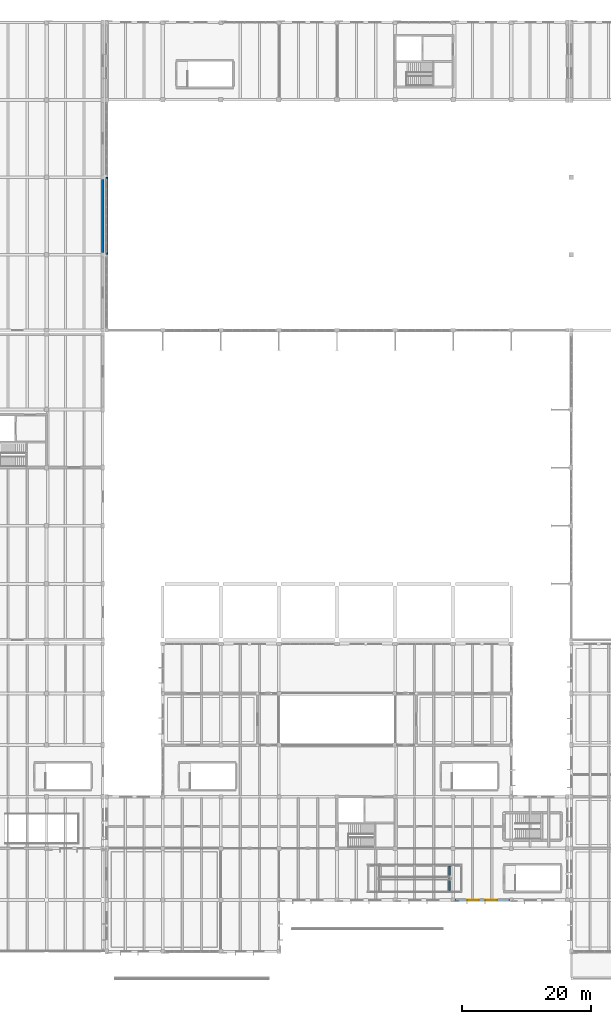
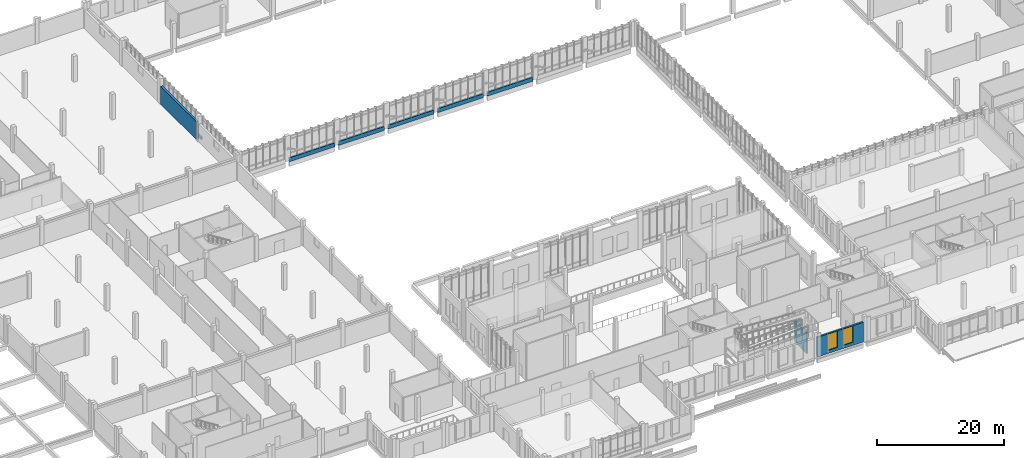
# One storey, part 82 of 110: 9 walls, 2 windows, 2 openings.
"""IFC4 building model written with IfcOpenShell, lengths in metres."""

import ifcopenshell
import ifcopenshell.guid

model = None  # the IFC model being written
_history = None  # IfcOwnerHistory: only IFC2X3 demands one
_inside = {}  # id of a spatial element -> (the spatial element, [elements in it])
_under = {}  # id of a project, library or spatial element -> (it, [spatial elements below it])
_declared = {}  # id of a project -> (the project, [libraries it declares])
_typed = {}  # id of a type object -> (the type object, [elements of that type])
_made_of = {}  # id of a material, layer set ... -> (it, [elements and type objects made of it])


def new_model(schema):
    """Start an empty IFC model of exactly this schema.

    Asked for "IFC4X3", IfcOpenShell would pick the latest addendum, in which some entities
    have other attributes; the version numbers below select the first issue.
    IFC2X3 requires an IfcOwnerHistory on every rooted entity: one is made here for all.
    """
    global model, _history
    if schema == "IFC4X3":
        model = ifcopenshell.file(schema_version=(4, 3, 0, 0))
    else:
        model = ifcopenshell.file(schema=schema)
    _inside.clear()
    _under.clear()
    _declared.clear()
    _typed.clear()
    _made_of.clear()
    _history = None
    if model.schema == "IFC2X3":
        org = make("IfcOrganization", Name="unknown")
        user = make(
            "IfcPersonAndOrganization",
            ThePerson=make("IfcPerson", FamilyName="unknown"),
            TheOrganization=org,
        )
        app = make(
            "IfcApplication",
            ApplicationDeveloper=org,
            Version="unknown",
            ApplicationFullName="unknown",
            ApplicationIdentifier="unknown",
        )
        _history = make(
            "IfcOwnerHistory",
            OwningUser=user,
            OwningApplication=app,
            ChangeAction="ADDED",
            CreationDate=0,
        )
    return model


def make(cls, **values):
    """One entity of the class cls with the attributes given. An attribute that is None is left unset."""
    return model.create_entity(
        cls, **{name: value for name, value in values.items() if value is not None}
    )


def rooted(cls, **values):
    """An entity with a GlobalId (a new one), such as an element, a storey or a relation."""
    return make(cls, GlobalId=ifcopenshell.guid.new(), OwnerHistory=_history, **values)


def si_unit(unit_type, name, prefix=None):
    """IfcSIUnit, for example si_unit("LENGTHUNIT", "METRE", prefix="MILLI")."""
    return make("IfcSIUnit", UnitType=unit_type, Prefix=prefix, Name=name)


def assignment(units):
    """IfcUnitAssignment: the units of a project."""
    return None if units is None else make("IfcUnitAssignment", Units=units)


def point(xyz):
    """IfcCartesianPoint."""
    return None if xyz is None else make("IfcCartesianPoint", Coordinates=xyz)


def direction(xyz):
    """IfcDirection."""
    return None if xyz is None else make("IfcDirection", DirectionRatios=xyz)


def frame(location, z_axis=None, x_axis=None):
    """IfcAxis2Placement3D, a coordinate frame: its origin and axes. An axis left out is left unset."""
    return make(
        "IfcAxis2Placement3D",
        Location=point(location),
        Axis=direction(z_axis),
        RefDirection=direction(x_axis),
    )


def frame_2d(location, x_axis=None):
    """IfcAxis2Placement2D, a coordinate frame in the plane: its origin and x axis."""
    return make(
        "IfcAxis2Placement2D", Location=point(location), RefDirection=direction(x_axis)
    )


def origin():
    """The frame at (0, 0, 0) with its axes left unset."""
    return frame((0.0, 0.0, 0.0))


def place(relative_to, where):
    """IfcLocalPlacement: puts the frame where relative to a parent placement (None: the world)."""
    return make(
        "IfcLocalPlacement", PlacementRelTo=relative_to, RelativePlacement=where
    )


def context(
    kind, dimensions, precision=None, world=None, true_north=None, identifier=None
):
    """IfcGeometricRepresentationContext, for example the 3D "Model" context."""
    return make(
        "IfcGeometricRepresentationContext",
        ContextIdentifier=identifier,
        ContextType=kind,
        CoordinateSpaceDimension=dimensions,
        Precision=precision,
        WorldCoordinateSystem=world,
        TrueNorth=true_north,
    )


def subcontext(parent, identifier, kind, view, scale=None):
    """IfcGeometricRepresentationSubContext, for example "Body" below "Model"."""
    return make(
        "IfcGeometricRepresentationSubContext",
        ContextIdentifier=identifier,
        ContextType=kind,
        ParentContext=parent,
        TargetScale=scale,
        TargetView=view,
    )


def project(units=None, contexts=None):
    """IfcProject with its units and contexts."""
    return rooted(
        "IfcProject",
        Name="project",
        RepresentationContexts=contexts,
        UnitsInContext=assignment(units),
    )


def spatial(cls, under=None, at=None, **own):
    """A site, building, storey or space (cls), placed at a placement, below another one or the project."""
    s = rooted(cls, ObjectPlacement=at, **own)
    if under is not None:
        _under.setdefault(under.id(), (under, []))[1].append(s)
    return s


def profile(cls, at=None, kind="AREA", **sizes):
    """A parametric profile (cls). Its sizes go by their IFC names, for example OverallWidth=200.0."""
    return make(cls, ProfileType=kind, Position=at, **sizes)


def rectangle(**sizes):
    """IfcRectangleProfileDef."""
    return profile("IfcRectangleProfileDef", **sizes)


def extrude(swept, where, along, depth):
    """IfcExtrudedAreaSolid: the profile swept, set in the frame where, extruded along a direction by depth."""
    return make(
        "IfcExtrudedAreaSolid",
        SweptArea=swept,
        Position=where,
        ExtrudedDirection=direction(along),
        Depth=depth,
    )


def shape(context_of_items, identifier, shape_type, items):
    """IfcShapeRepresentation: the items that make up one representation, for example the "Body"."""
    return make(
        "IfcShapeRepresentation",
        ContextOfItems=context_of_items,
        RepresentationIdentifier=identifier,
        RepresentationType=shape_type,
        Items=items,
    )


def material(Name=None, Category=None):
    """IfcMaterial."""
    return make("IfcMaterial", Name=Name, Category=Category)


def layer(
    of_material, thickness, ventilated=None, Name=None, Category=None, Priority=None
):
    """IfcMaterialLayer: one layer of a wall or slab, of a material (None: an air gap)."""
    return make(
        "IfcMaterialLayer",
        Material=of_material,
        LayerThickness=thickness,
        IsVentilated=ventilated,
        Name=Name,
        Category=Category,
        Priority=Priority,
    )


def layer_set(layers, Name=None):
    """IfcMaterialLayerSet."""
    return make("IfcMaterialLayerSet", MaterialLayers=layers, LayerSetName=Name)


def made_of(thing, what):
    """Note that an element or type object is made of a material, layer set ...; save() writes the relation."""
    if what is not None:
        _made_of.setdefault(what.id(), (what, []))[1].append(thing)
    return thing


def type_object(cls, material=None, **own):
    """A type object (cls), such as IfcWallType, which elements share."""
    return made_of(rooted(cls, **own), material)


def element(
    cls,
    number,
    at=None,
    inside=None,
    cuts=None,
    type_object=None,
    material=None,
    context=None,
    identifier="Body",
    shape_type=None,
    held_by="IfcProductDefinitionShape",
    body=None,
    shapes=None,
    **own,
):
    """One element of the class cls, such as IfcWall. Its Tag is "e" and its number.

    at: its placement. inside: the storey or other place that contains it. cuts: it is an
    opening in that element (IfcRelVoidsElement). A single representation is given by context,
    identifier, shape_type and body (its items); several are given by shapes. held_by: the class
    of the entity that holds the representations. save() writes the other relations.
    """
    e = rooted(cls, Tag="e%d" % number, ObjectPlacement=at, **own)
    if body is not None:
        shapes = [shape(context, identifier, shape_type, body)]
    if shapes is not None:
        e.Representation = make(held_by, Representations=shapes)
    if inside is not None:
        _inside.setdefault(inside.id(), (inside, []))[1].append(e)
    if cuts is not None:
        rooted(
            "IfcRelVoidsElement", RelatingBuildingElement=cuts, RelatedOpeningElement=e
        )
    if type_object is not None:
        _typed.setdefault(type_object.id(), (type_object, []))[1].append(e)
    return made_of(e, material)


def fill(opening, filler):
    """IfcRelFillsElement: the door or window that sits in an opening."""
    return rooted(
        "IfcRelFillsElement",
        RelatingOpeningElement=opening,
        RelatedBuildingElement=filler,
    )


def aggregate(whole, parts):
    """IfcRelAggregates: a whole, such as a stair, and the parts it consists of."""
    return rooted("IfcRelAggregates", RelatingObject=whole, RelatedObjects=parts)


def save(model, path):
    """Write the relations noted so far, then the file.

    IfcRelAggregates (storeys below a building ...), IfcRelContainedInSpatialStructure (elements
    in a storey), IfcRelDefinesByType, IfcRelAssociatesMaterial and IfcRelDeclares: one each for
    every whole, place, type object, material and project.
    """
    for whole, parts in _under.values():
        aggregate(whole, parts)
    for where, things in _inside.values():
        rooted(
            "IfcRelContainedInSpatialStructure",
            RelatedElements=things,
            RelatingStructure=where,
        )
    for kind, things in _typed.values():
        rooted("IfcRelDefinesByType", RelatedObjects=things, RelatingType=kind)
    for what, things in _made_of.values():
        rooted("IfcRelAssociatesMaterial", RelatedObjects=things, RelatingMaterial=what)
    for by, libraries in _declared.values():
        rooted("IfcRelDeclares", RelatingContext=by, RelatedDefinitions=libraries)
    model.write(path)


model = new_model("IFC4")

# Units and contexts
model_context = context("Model", 3, precision=1e-05, world=origin(), true_north=direction((0.0, 1.0)))
body_context = subcontext(model_context, "Body", "Model", "MODEL_VIEW")
ifc_project = project(units=[si_unit("LENGTHUNIT", "METRE"), si_unit("AREAUNIT", "SQUARE_METRE"), si_unit("VOLUMEUNIT", "CUBIC_METRE"), si_unit("PLANEANGLEUNIT", "RADIAN"), si_unit("MASSUNIT", "GRAM", prefix="KILO")], contexts=[model_context])

# Site, building, storey
site_placement = place(None, origin())
site = spatial("IfcSite", under=ifc_project, at=site_placement, CompositionType="ELEMENT")
building_placement = place(site_placement, origin())
building = spatial("IfcBuilding", under=site, at=building_placement, Name="Zacnel Wholesale Market", CompositionType="ELEMENT")
storey_placement = place(building_placement, frame((0.0, 0.0, 6.300048828125)))
storey = spatial("IfcBuildingStorey", under=building, at=storey_placement, Name="L02", CompositionType="ELEMENT", Elevation=6.300048828125)

# Walls
ifc_material_1 = material(Name="Concrete C40/50", Category="concrete")
ifc_layer_1 = layer(ifc_material_1, 0.25)
ifc_layer_set_1 = layer_set([ifc_layer_1], Name="Concrete C40/50")
wall_type_1 = type_object("IfcWallType", Name="WL-CORE-SW250", PredefinedType="SOLIDWALL", material=ifc_layer_set_1)
wall_1_placement = place(storey_placement, frame((125.44091796875, 9.455078125, 0.0), z_axis=(0.0, 0.0, 1.0), x_axis=(0.0, 1.0, 0.0)))
element("IfcWall", 1, at=wall_1_placement, inside=storey, type_object=wall_type_1, Name="Accessible ramp RP-04 (RMP-PROM-2) end plinth wall 7", PredefinedType="SOLIDWALL", context=body_context, shape_type="SweptSolid", body=[
    extrude(rectangle(XDim=3.7900390625, YDim=0.25, at=frame_2d((1.89501953125, 0.0))), origin(), (0.0, 0.0, 1.0), 4.072509765625),
])
ifc_material_2 = material(Name="Precast concrete C40/50 (insulated sandwich panel)", Category="concrete")
ifc_layer_2 = layer(ifc_material_2, 0.3798828125)
ifc_layer_set_2 = layer_set([ifc_layer_2], Name="Precast concrete C40/50 (insulated sandwich panel)")
wall_type_2 = type_object("IfcWallType", Name="WL-EXT-COLD-380", PredefinedType="SOLIDWALL", material=ifc_layer_set_2)
wall_2_placement = place(storey_placement, frame((71.699951171875, 108.375, 0.0), z_axis=(0.0, 0.0, 1.0), x_axis=(0.0, 1.0, 0.0)))
element("IfcWall", 2, at=wall_2_placement, inside=storey, type_object=wall_type_2, Name="Exterior wall L02-0231", PredefinedType="SOLIDWALL", context=body_context, shape_type="SweptSolid", body=[
    extrude(rectangle(XDim=11.25, YDim=0.3798828125, at=frame_2d((5.625, 0.0))), origin(), (0.0, 0.0, 1.0), 3.449951171875),
])
ifc_material_3 = material(Name="Precast concrete C40/50 (Cancun limestone aggregate)", Category="masonry")
ifc_layer_3 = layer(ifc_material_3, 0.300048828125)
ifc_layer_set_3 = layer_set([ifc_layer_3], Name="Precast concrete C40/50 (Cancun limestone aggregate)")
wall_type_3 = type_object("IfcWallType", Name="WL-EXT-LIME-300", PredefinedType="SOLIDWALL", material=ifc_layer_set_3)
for number, where, z_axis, x_axis, name in (
    (3, (81.375, 96.300048828125, -0.300048828125), (0.0, 0.0, 1.0), (1.0, 0.0, 0.0), "Curtain-wall limestone plinth L02-0021"),
    (4, (90.375, 96.300048828125, -0.300048828125), (0.0, 0.0, 1.0), (1.0, 0.0, 0.0), "Curtain-wall limestone plinth L02-0022"),
    (5, (99.375, 96.300048828125, -0.300048828125), (0.0, 0.0, 1.0), (1.0, 0.0, 0.0), "Curtain-wall limestone plinth L02-0023"),
    (6, (108.375, 96.300048828125, -0.300048828125), (0.0, 0.0, 1.0), (1.0, 0.0, 0.0), "Curtain-wall limestone plinth L02-0024"),
    (7, (117.375, 96.300048828125, -0.300048828125), (0.0, 0.0, 1.0), (1.0, 0.0, 0.0), "Curtain-wall limestone plinth L02-0025"),
):
    element("IfcWall", number, at=place(storey_placement, frame(where, z_axis=z_axis, x_axis=x_axis)), inside=storey, type_object=wall_type_3, Name=name, PredefinedType="SOLIDWALL", context=body_context, shape_type="SweptSolid", body=[
        extrude(rectangle(XDim=8.25, YDim=0.300048828125, at=frame_2d((4.125, 0.0))), origin(), (0.0, 0.0, 1.0), 0.75),
    ])
wall_3_placement = place(storey_placement, frame((72.300048828125, 108.0, 0.0), z_axis=(0.0, 0.0, 1.0), x_axis=(0.0, 1.0, 0.0)))
element("IfcWall", 8, at=wall_3_placement, inside=storey, type_object=wall_type_3, Name="Curtain-wall limestone plinth L02-0030", PredefinedType="SOLIDWALL", context=body_context, shape_type="SweptSolid", body=[
    extrude(rectangle(XDim=12.0, YDim=0.300048828125, at=frame_2d((6.0, 0.0))), origin(), (0.0, 0.0, 1.0), 0.449951171875),
])

# Wall, openings, windows
ifc_material_4 = material(Name="Precast concrete C40/50 (Cancun limestone aggregate)", Category="masonry")
ifc_layer_4 = layer(ifc_material_4, 0.340087890625)
ifc_layer_set_4 = layer_set([ifc_layer_4], Name="Precast concrete C40/50 (Cancun limestone aggregate)")
wall_type_4 = type_object("IfcWallType", Name="WL-EXT-LIME-340", PredefinedType="SOLIDWALL", material=ifc_layer_set_4)
wall_4_placement = place(storey_placement, frame((126.300048828125, 8.0, 0.0), z_axis=(0.0, 0.0, 1.0), x_axis=(1.0, 0.0, 0.0)))
wall_4 = element("IfcWall", 9, at=wall_4_placement, inside=storey, type_object=wall_type_4, Name="Exterior wall L02-0248", PredefinedType="SOLIDWALL", context=body_context, shape_type="SweptSolid", body=[
    extrude(rectangle(XDim=8.39990234375, YDim=0.340087890625, at=frame_2d((4.199951171875, 0.0))), origin(), (0.0, 0.0, 1.0), 3.780029296875),
])
opening_1_placement = place(wall_4_placement, frame((1.89990234375, 0.0, 0.590087890625)))
opening_1 = element("IfcOpeningElement", 10, at=opening_1_placement, cuts=wall_4, Name="Opening W-03", PredefinedType="OPENING", context=body_context, shape_type="SweptSolid", body=[
    extrude(rectangle(XDim=1.800048828125, YDim=3.14990234375, at=frame_2d((0.89990234375, 1.574951171875))), frame((0.0, 0.179931640625, 0.0), z_axis=(0.0, -1.0, 0.0), x_axis=(1.0, 0.0, 0.0)), (0.0, 0.0, 1.0), 0.360107421875),
])
opening_2_placement = place(wall_4_placement, frame((4.699951171875, 0.0, 0.590087890625)))
opening_2 = element("IfcOpeningElement", 11, at=opening_2_placement, cuts=wall_4, Name="Opening W-03", PredefinedType="OPENING", context=body_context, shape_type="SweptSolid", body=[
    extrude(rectangle(XDim=1.800048828125, YDim=3.14990234375, at=frame_2d((0.89990234375, 1.574951171875))), frame((0.0, 0.179931640625, 0.0), z_axis=(0.0, -1.0, 0.0), x_axis=(1.0, 0.0, 0.0)), (0.0, 0.0, 1.0), 0.360107421875),
])
ifc_material_5 = material(Name="Laminated hurricane-impact low-E insulated glass", Category="glass")
window_type = type_object("IfcWindowType", Name="WIN-DEC-1800X3150", PartitioningType="DOUBLE_PANEL_VERTICAL", PredefinedType="WINDOW", material=ifc_material_5)
window_1_placement = place(opening_1_placement, origin())
window_1 = element("IfcWindow", 12, at=window_1_placement, inside=storey, type_object=window_type, Name="Window L02-0231", OverallHeight=3.14990234375, OverallWidth=1.800048828125, PartitioningType="DOUBLE_PANEL_VERTICAL", PredefinedType="WINDOW", context=body_context, shape_type="SweptSolid", body=[
    extrude(rectangle(XDim=1.800048828125, YDim=3.14990234375, at=frame_2d((0.89990234375, 1.574951171875))), frame((0.0, 0.030029296875, 0.0), z_axis=(0.0, -1.0, 0.0), x_axis=(1.0, 0.0, 0.0)), (0.0, 0.0, 1.0), 0.06005859375),
])
fill(opening_1, window_1)
window_2_placement = place(opening_2_placement, origin())
window_2 = element("IfcWindow", 13, at=window_2_placement, inside=storey, type_object=window_type, Name="Window L02-0232", OverallHeight=3.14990234375, OverallWidth=1.800048828125, PartitioningType="DOUBLE_PANEL_VERTICAL", PredefinedType="WINDOW", context=body_context, shape_type="SweptSolid", body=[
    extrude(rectangle(XDim=1.800048828125, YDim=3.14990234375, at=frame_2d((0.89990234375, 1.574951171875))), frame((0.0, 0.030029296875, 0.0), z_axis=(0.0, -1.0, 0.0), x_axis=(1.0, 0.0, 0.0)), (0.0, 0.0, 1.0), 0.06005859375),
])
fill(opening_2, window_2)

save(model, "model.ifc")
